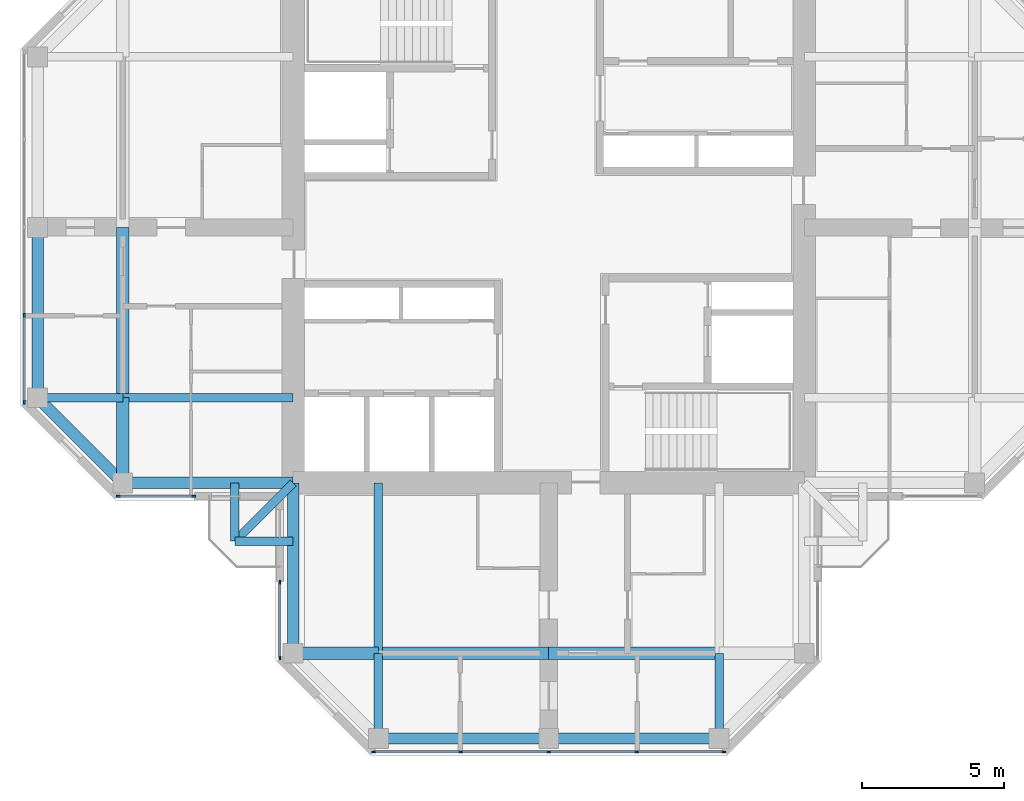
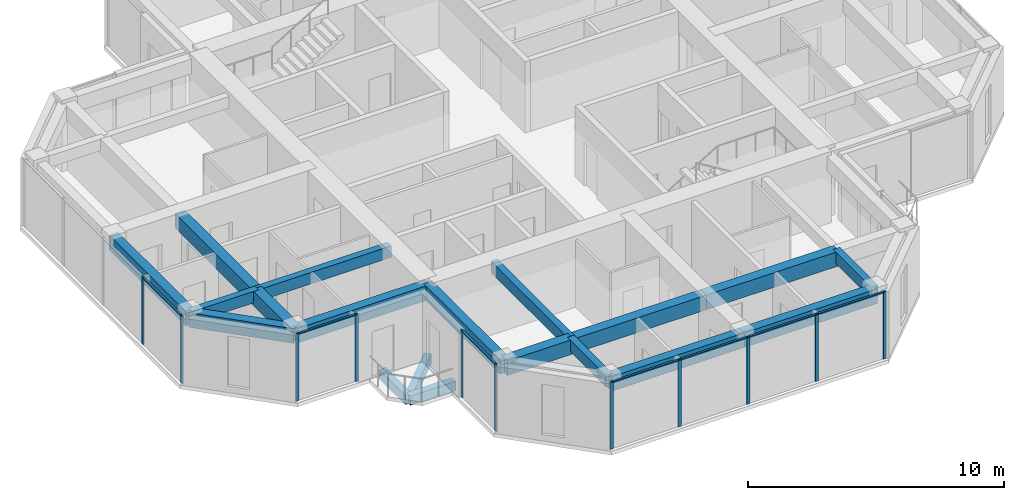
# One storey, part 2 of 13: 19 beams, 18 members, 4 elements without a shape of their own.
"""IFC4 building model written with IfcOpenShell, lengths in metres."""

import ifcopenshell
import ifcopenshell.guid

model = None  # the IFC model being written
_history = None  # IfcOwnerHistory: only IFC2X3 demands one
_inside = {}  # id of a spatial element -> (the spatial element, [elements in it])
_under = {}  # id of a project, library or spatial element -> (it, [spatial elements below it])
_declared = {}  # id of a project -> (the project, [libraries it declares])
_typed = {}  # id of a type object -> (the type object, [elements of that type])
_made_of = {}  # id of a material, layer set ... -> (it, [elements and type objects made of it])


def new_model(schema):
    """Start an empty IFC model of exactly this schema.

    Asked for "IFC4X3", IfcOpenShell would pick the latest addendum, in which some entities
    have other attributes; the version numbers below select the first issue.
    IFC2X3 requires an IfcOwnerHistory on every rooted entity: one is made here for all.
    """
    global model, _history
    if schema == "IFC4X3":
        model = ifcopenshell.file(schema_version=(4, 3, 0, 0))
    else:
        model = ifcopenshell.file(schema=schema)
    _inside.clear()
    _under.clear()
    _declared.clear()
    _typed.clear()
    _made_of.clear()
    _history = None
    if model.schema == "IFC2X3":
        org = make("IfcOrganization", Name="unknown")
        user = make(
            "IfcPersonAndOrganization",
            ThePerson=make("IfcPerson", FamilyName="unknown"),
            TheOrganization=org,
        )
        app = make(
            "IfcApplication",
            ApplicationDeveloper=org,
            Version="unknown",
            ApplicationFullName="unknown",
            ApplicationIdentifier="unknown",
        )
        _history = make(
            "IfcOwnerHistory",
            OwningUser=user,
            OwningApplication=app,
            ChangeAction="ADDED",
            CreationDate=0,
        )
    return model


def make(cls, **values):
    """One entity of the class cls with the attributes given. An attribute that is None is left unset."""
    return model.create_entity(
        cls, **{name: value for name, value in values.items() if value is not None}
    )


def rooted(cls, **values):
    """An entity with a GlobalId (a new one), such as an element, a storey or a relation."""
    return make(cls, GlobalId=ifcopenshell.guid.new(), OwnerHistory=_history, **values)


def si_unit(unit_type, name, prefix=None):
    """IfcSIUnit, for example si_unit("LENGTHUNIT", "METRE", prefix="MILLI")."""
    return make("IfcSIUnit", UnitType=unit_type, Prefix=prefix, Name=name)


def assignment(units):
    """IfcUnitAssignment: the units of a project."""
    return None if units is None else make("IfcUnitAssignment", Units=units)


def point(xyz):
    """IfcCartesianPoint."""
    return None if xyz is None else make("IfcCartesianPoint", Coordinates=xyz)


def direction(xyz):
    """IfcDirection."""
    return None if xyz is None else make("IfcDirection", DirectionRatios=xyz)


def frame(location, z_axis=None, x_axis=None):
    """IfcAxis2Placement3D, a coordinate frame: its origin and axes. An axis left out is left unset."""
    return make(
        "IfcAxis2Placement3D",
        Location=point(location),
        Axis=direction(z_axis),
        RefDirection=direction(x_axis),
    )


def frame_2d(location, x_axis=None):
    """IfcAxis2Placement2D, a coordinate frame in the plane: its origin and x axis."""
    return make(
        "IfcAxis2Placement2D", Location=point(location), RefDirection=direction(x_axis)
    )


def origin():
    """The frame at (0, 0, 0) with its axes left unset."""
    return frame((0.0, 0.0, 0.0))


def origin_2d():
    """The frame at (0, 0) in the plane with its x axis left unset."""
    return frame_2d((0.0, 0.0))


def place(relative_to, where):
    """IfcLocalPlacement: puts the frame where relative to a parent placement (None: the world)."""
    return make(
        "IfcLocalPlacement", PlacementRelTo=relative_to, RelativePlacement=where
    )


def context(
    kind, dimensions, precision=None, world=None, true_north=None, identifier=None
):
    """IfcGeometricRepresentationContext, for example the 3D "Model" context."""
    return make(
        "IfcGeometricRepresentationContext",
        ContextIdentifier=identifier,
        ContextType=kind,
        CoordinateSpaceDimension=dimensions,
        Precision=precision,
        WorldCoordinateSystem=world,
        TrueNorth=true_north,
    )


def subcontext(parent, identifier, kind, view, scale=None):
    """IfcGeometricRepresentationSubContext, for example "Body" below "Model"."""
    return make(
        "IfcGeometricRepresentationSubContext",
        ContextIdentifier=identifier,
        ContextType=kind,
        ParentContext=parent,
        TargetScale=scale,
        TargetView=view,
    )


def project(units=None, contexts=None):
    """IfcProject with its units and contexts."""
    return rooted(
        "IfcProject",
        Name="project",
        RepresentationContexts=contexts,
        UnitsInContext=assignment(units),
    )


def spatial(cls, under=None, at=None, **own):
    """A site, building, storey or space (cls), placed at a placement, below another one or the project."""
    s = rooted(cls, ObjectPlacement=at, **own)
    if under is not None:
        _under.setdefault(under.id(), (under, []))[1].append(s)
    return s


def profile(cls, at=None, kind="AREA", **sizes):
    """A parametric profile (cls). Its sizes go by their IFC names, for example OverallWidth=200.0."""
    return make(cls, ProfileType=kind, Position=at, **sizes)


def rectangle(**sizes):
    """IfcRectangleProfileDef."""
    return profile("IfcRectangleProfileDef", **sizes)


def extrude(swept, where, along, depth):
    """IfcExtrudedAreaSolid: the profile swept, set in the frame where, extruded along a direction by depth."""
    return make(
        "IfcExtrudedAreaSolid",
        SweptArea=swept,
        Position=where,
        ExtrudedDirection=direction(along),
        Depth=depth,
    )


def shape(context_of_items, identifier, shape_type, items):
    """IfcShapeRepresentation: the items that make up one representation, for example the "Body"."""
    return make(
        "IfcShapeRepresentation",
        ContextOfItems=context_of_items,
        RepresentationIdentifier=identifier,
        RepresentationType=shape_type,
        Items=items,
    )


def material(Name=None, Category=None):
    """IfcMaterial."""
    return make("IfcMaterial", Name=Name, Category=Category)


def material_profile(
    of_material, cross_section, Name=None, Category=None, Priority=None
):
    """IfcMaterialProfile: a cross section and its material."""
    return make(
        "IfcMaterialProfile",
        Name=Name,
        Material=of_material,
        Profile=cross_section,
        Priority=Priority,
        Category=Category,
    )


def profile_set(profiles, Name=None, composite=None):
    """IfcMaterialProfileSet."""
    return make(
        "IfcMaterialProfileSet",
        Name=Name,
        MaterialProfiles=profiles,
        CompositeProfile=composite,
    )


def made_of(thing, what):
    """Note that an element or type object is made of a material, layer set ...; save() writes the relation."""
    if what is not None:
        _made_of.setdefault(what.id(), (what, []))[1].append(thing)
    return thing


def type_object(cls, material=None, **own):
    """A type object (cls), such as IfcWallType, which elements share."""
    return made_of(rooted(cls, **own), material)


def element(
    cls,
    number,
    at=None,
    inside=None,
    cuts=None,
    type_object=None,
    material=None,
    context=None,
    identifier="Body",
    shape_type=None,
    held_by="IfcProductDefinitionShape",
    body=None,
    shapes=None,
    **own,
):
    """One element of the class cls, such as IfcWall. Its Tag is "e" and its number.

    at: its placement. inside: the storey or other place that contains it. cuts: it is an
    opening in that element (IfcRelVoidsElement). A single representation is given by context,
    identifier, shape_type and body (its items); several are given by shapes. held_by: the class
    of the entity that holds the representations. save() writes the other relations.
    """
    e = rooted(cls, Tag="e%d" % number, ObjectPlacement=at, **own)
    if body is not None:
        shapes = [shape(context, identifier, shape_type, body)]
    if shapes is not None:
        e.Representation = make(held_by, Representations=shapes)
    if inside is not None:
        _inside.setdefault(inside.id(), (inside, []))[1].append(e)
    if cuts is not None:
        rooted(
            "IfcRelVoidsElement", RelatingBuildingElement=cuts, RelatedOpeningElement=e
        )
    if type_object is not None:
        _typed.setdefault(type_object.id(), (type_object, []))[1].append(e)
    return made_of(e, material)


def aggregate(whole, parts):
    """IfcRelAggregates: a whole, such as a stair, and the parts it consists of."""
    return rooted("IfcRelAggregates", RelatingObject=whole, RelatedObjects=parts)


def save(model, path):
    """Write the relations noted so far, then the file.

    IfcRelAggregates (storeys below a building ...), IfcRelContainedInSpatialStructure (elements
    in a storey), IfcRelDefinesByType, IfcRelAssociatesMaterial and IfcRelDeclares: one each for
    every whole, place, type object, material and project.
    """
    for whole, parts in _under.values():
        aggregate(whole, parts)
    for where, things in _inside.values():
        rooted(
            "IfcRelContainedInSpatialStructure",
            RelatedElements=things,
            RelatingStructure=where,
        )
    for kind, things in _typed.values():
        rooted("IfcRelDefinesByType", RelatedObjects=things, RelatingType=kind)
    for what, things in _made_of.values():
        rooted("IfcRelAssociatesMaterial", RelatedObjects=things, RelatingMaterial=what)
    for by, libraries in _declared.values():
        rooted("IfcRelDeclares", RelatingContext=by, RelatedDefinitions=libraries)
    model.write(path)


model = new_model("IFC4")

# Units and contexts
model_context = context("Model", 3, precision=1e-05, world=origin(), true_north=direction((0.0, 1.0)))
body_context = subcontext(model_context, "Body", "Model", "MODEL_VIEW")
ifc_project = project(units=[si_unit("LENGTHUNIT", "METRE"), si_unit("AREAUNIT", "SQUARE_METRE"), si_unit("VOLUMEUNIT", "CUBIC_METRE"), si_unit("PLANEANGLEUNIT", "RADIAN"), si_unit("MASSUNIT", "GRAM", prefix="KILO")], contexts=[model_context])

# Site, building, storey
site_placement = place(None, origin())
site = spatial("IfcSite", under=ifc_project, at=site_placement, CompositionType="ELEMENT")
building_placement = place(site_placement, origin())
building = spatial("IfcBuilding", under=site, at=building_placement, Name="Torre Cruceta", CompositionType="ELEMENT")
storey_placement = place(building_placement, frame((0.0, 0.0, 281.5)))
storey = spatial("IfcBuildingStorey", under=building, at=storey_placement, Name="L73", CompositionType="ELEMENT", Elevation=281.5)

# Beams
ifc_material_1 = material(Name="Concrete G60 (fck 60 MPa)", Category="concrete")
ifc_material_profile_1 = material_profile(ifc_material_1, rectangle(XDim=0.300048828125, YDim=0.449951171875, at=origin_2d()), Name="RC 300X450")
ifc_profile_set_1 = profile_set([ifc_material_profile_1], Name="Concrete G60 (fck 60 MPa)")
beam_type_1 = type_object("IfcBeamType", Name="BALCONY CANTILEVER BEAM RC 300X450", PredefinedType="BEAM", material=ifc_profile_set_1)
beam_1_placement = place(storey_placement, frame((-9.0, -9.0, -0.405029296875), z_axis=(-0.707106781187, -0.707106781187, 0.0), x_axis=(0.707106781187, -0.707106781187, 0.0)))
element("IfcBeam", 1, at=beam_1_placement, inside=storey, type_object=beam_type_1, Name="BB1 balcony beam L73 W", PredefinedType="BEAM", context=body_context, shape_type="SweptSolid", body=[
    extrude(rectangle(XDim=0.300048828125, YDim=0.449951171875, at=origin_2d()), origin(), (0.0, 0.0, 1.0), 2.89990234375),
])
for number, where, z_axis, x_axis, name in (
    (2, (-11.050537109375, -9.0, -0.405029296875), (0.0, -1.0, 0.0), (1.0, 0.0, 0.0), "BB1 balcony edge beam L73 W-X"),
    (3, (-9.0, -11.050537109375, -0.405029296875), (-1.0, 0.0, 0.0), (0.0, -1.0, 0.0), "BB1 balcony edge beam L73 W-Y"),
):
    element("IfcBeam", number, at=place(storey_placement, frame(where, z_axis=z_axis, x_axis=x_axis)), inside=storey, type_object=beam_type_1, Name=name, PredefinedType="BEAM", context=body_context, shape_type="SweptSolid", body=[
        extrude(rectangle(XDim=0.300048828125, YDim=0.449951171875, at=origin_2d()), origin(), (0.0, 0.0, 1.0), 2.050537109375),
    ])
ifc_material_2 = material(Name="Concrete G60 (fck 60 MPa)", Category="concrete")
ifc_material_profile_2 = material_profile(ifc_material_2, rectangle(XDim=0.300048828125, YDim=0.550048828125, at=origin_2d()), Name="RC 300X550")
ifc_profile_set_2 = profile_set([ifc_material_profile_2], Name="Concrete G60 (fck 60 MPa)")
beam_type_2 = type_object("IfcBeamType", Name="COLUMN LINE BEAM RC 300X550", PredefinedType="BEAM", material=ifc_profile_set_2)
beam_2_placement = place(storey_placement, frame((-6.0, -9.0, 2.945068359375), z_axis=(0.0, -1.0, 0.0), x_axis=(1.0, 0.0, 0.0)))
element("IfcBeam", 4, at=beam_2_placement, inside=storey, type_object=beam_type_2, Name="LB10 L73 S col- 1", PredefinedType="BEAM", context=body_context, shape_type="SweptSolid", body=[
    extrude(rectangle(XDim=0.300048828125, YDim=0.550048828125, at=origin_2d()), origin(), (0.0, 0.0, 1.0), 6.0),
])
for number, where, z_axis, x_axis, name in (
    (5, (-6.0, -15.0, 2.945068359375), (0.0, -1.0, 0.0), (1.0, 0.0, 0.0), "LB10 L73 S col- 2"),
    (6, (6.0, -15.0, 2.945068359375), (0.0, -1.0, 0.0), (1.0, 0.0, 0.0), "LB10 L73 S col+ 2"),
):
    element("IfcBeam", number, at=place(storey_placement, frame(where, z_axis=z_axis, x_axis=x_axis)), inside=storey, type_object=beam_type_2, Name=name, PredefinedType="BEAM", context=body_context, shape_type="SweptSolid", body=[
        extrude(rectangle(XDim=0.300048828125, YDim=0.550048828125, at=origin_2d()), origin(), (0.0, 0.0, 1.0), 3.0),
    ])
beam_3_placement = place(storey_placement, frame((-9.0, -6.0, 2.945068359375), z_axis=(-1.0, 0.0, 0.0), x_axis=(0.0, -1.0, 0.0)))
element("IfcBeam", 7, at=beam_3_placement, inside=storey, type_object=beam_type_2, Name="LB10 L73 W col+ 1", PredefinedType="BEAM", context=body_context, shape_type="SweptSolid", body=[
    extrude(rectangle(XDim=0.300048828125, YDim=0.550048828125, at=origin_2d()), origin(), (0.0, 0.0, 1.0), 6.0),
])
beam_4_placement = place(storey_placement, frame((-15.0, -6.0, 2.945068359375), z_axis=(-1.0, 0.0, 0.0), x_axis=(0.0, -1.0, 0.0)))
element("IfcBeam", 8, at=beam_4_placement, inside=storey, type_object=beam_type_2, Name="LB10 L73 W col+ 2", PredefinedType="BEAM", context=body_context, shape_type="SweptSolid", body=[
    extrude(rectangle(XDim=0.300048828125, YDim=0.550048828125, at=origin_2d()), origin(), (0.0, 0.0, 1.0), 3.0),
])
ifc_material_3 = material(Name="Concrete G60 (fck 60 MPa)", Category="concrete")
ifc_material_profile_3 = material_profile(ifc_material_3, rectangle(XDim=0.449951171875, YDim=0.699951171875, at=origin_2d()), Name="RC 450X700")
ifc_profile_set_3 = profile_set([ifc_material_profile_3], Name="Concrete G60 (fck 60 MPa)")
beam_type_3 = type_object("IfcBeamType", Name="CROSS BEAM RC 450X700", PredefinedType="BEAM", material=ifc_profile_set_3)
beam_5_placement = place(storey_placement, frame((-9.0, -15.0, 2.8701171875), z_axis=(1.0, 0.0, 0.0), x_axis=(0.0, 1.0, 0.0)))
element("IfcBeam", 9, at=beam_5_placement, inside=storey, type_object=beam_type_3, Name="GB8 L73 S cross15 1", PredefinedType="BEAM", context=body_context, shape_type="SweptSolid", body=[
    extrude(rectangle(XDim=0.449951171875, YDim=0.699951171875, at=origin_2d()), origin(), (0.0, 0.0, 1.0), 3.0),
])
for number, where, z_axis, x_axis, name in (
    (10, (-6.0, -15.0, 2.8701171875), (1.0, 0.0, 0.0), (0.0, 1.0, 0.0), "GB8 L73 S cross15 2"),
    (11, (0.0, -15.0, 2.8701171875), (1.0, 0.0, 0.0), (0.0, 1.0, 0.0), "GB8 L73 S cross15 3"),
    (12, (-15.0, 0.0, 2.8701171875), (0.0, -1.0, 0.0), (1.0, 0.0, 0.0), "GB8 L73 W cross15 3"),
):
    element("IfcBeam", number, at=place(storey_placement, frame(where, z_axis=z_axis, x_axis=x_axis)), inside=storey, type_object=beam_type_3, Name=name, PredefinedType="BEAM", context=body_context, shape_type="SweptSolid", body=[
        extrude(rectangle(XDim=0.449951171875, YDim=0.699951171875, at=origin_2d()), origin(), (0.0, 0.0, 1.0), 6.0),
    ])
beam_6_placement = place(storey_placement, frame((-15.0, -6.0, 2.8701171875), z_axis=(0.0, -1.0, 0.0), x_axis=(1.0, 0.0, 0.0)))
element("IfcBeam", 13, at=beam_6_placement, inside=storey, type_object=beam_type_3, Name="GB8 L73 W cross15 4", PredefinedType="BEAM", context=body_context, shape_type="SweptSolid", body=[
    extrude(rectangle(XDim=0.449951171875, YDim=0.699951171875, at=origin_2d()), origin(), (0.0, 0.0, 1.0), 3.0),
])

# Curtain wall, members
ifc_material_4 = material(Name="Aluminium unitised curtain wall", Category="aluminium")
curtain_wall_type = type_object("IfcCurtainWallType", Name="CURTAIN WALL CW-E CO-LIVING TOP", PredefinedType="USERDEFINED", material=ifc_material_4)
curtain_wall_1_placement = place(storey_placement, origin())
curtain_wall_1 = element("IfcCurtainWall", 14, at=curtain_wall_1_placement, inside=storey, type_object=curtain_wall_type, Name="CW-E L73 W tip 12", ObjectType="UNITISED", PredefinedType="USERDEFINED")
ifc_material_5 = material(Name="Aluminium mullion", Category="aluminium")
ifc_material_profile_4 = material_profile(ifc_material_5, rectangle(XDim=0.054931640625, YDim=0.139892578125, at=origin_2d()), Name="AL 55X140")
ifc_profile_set_4 = profile_set([ifc_material_profile_4], Name="Aluminium mullion")
member_type_1 = type_object("IfcMemberType", Name="CW-E MULLION 55X140", PredefinedType="MULLION", material=ifc_profile_set_4)
member_1_placement = place(storey_placement, frame((-18.469970703125, -3.097412109375, 0.0), z_axis=(0.0, 0.0, 1.0), x_axis=(1.0, 0.0, 0.0)))
member_1 = element("IfcMember", 15, at=member_1_placement, type_object=member_type_1, Name="CW-E mullion 4", PredefinedType="MULLION", context=body_context, shape_type="SweptSolid", body=[
    extrude(rectangle(XDim=0.054931640625, YDim=0.139892578125, at=origin_2d()), origin(), (0.0, 0.0, 1.0), 3.219970703125),
])
member_2_placement = place(storey_placement, frame((-18.469970703125, -6.167236328125, 0.0), z_axis=(0.0, 0.0, 1.0), x_axis=(1.0, 0.0, 0.0)))
member_2 = element("IfcMember", 16, at=member_2_placement, type_object=member_type_1, Name="CW-E mullion 5", PredefinedType="MULLION", context=body_context, shape_type="SweptSolid", body=[
    extrude(rectangle(XDim=0.054931640625, YDim=0.139892578125, at=origin_2d()), origin(), (0.0, 0.0, 1.0), 3.219970703125),
])

curtain_wall_2_placement = place(storey_placement, origin())
curtain_wall_2 = element("IfcCurtainWall", 17, at=curtain_wall_2_placement, inside=storey, type_object=curtain_wall_type, Name="CW-E L73 W side 14", ObjectType="UNITISED", PredefinedType="USERDEFINED")
member_3_placement = place(storey_placement, frame((-15.167236328125, -9.469970703125, 0.0), z_axis=(0.0, 0.0, 1.0), x_axis=(0.0, 1.0, 0.0)))
member_3 = element("IfcMember", 18, at=member_3_placement, type_object=member_type_1, Name="CW-E mullion 1", PredefinedType="MULLION", context=body_context, shape_type="SweptSolid", body=[
    extrude(rectangle(XDim=0.054931640625, YDim=0.139892578125, at=origin_2d()), origin(), (0.0, 0.0, 1.0), 3.219970703125),
])
member_4_placement = place(storey_placement, frame((-12.49755859375, -9.469970703125, 0.0), z_axis=(0.0, 0.0, 1.0), x_axis=(0.0, 1.0, 0.0)))
member_4 = element("IfcMember", 19, at=member_4_placement, type_object=member_type_1, Name="CW-E mullion 2", PredefinedType="MULLION", context=body_context, shape_type="SweptSolid", body=[
    extrude(rectangle(XDim=0.054931640625, YDim=0.139892578125, at=origin_2d()), origin(), (0.0, 0.0, 1.0), 3.219970703125),
])

curtain_wall_3_placement = place(storey_placement, origin())
curtain_wall_3 = element("IfcCurtainWall", 20, at=curtain_wall_3_placement, inside=storey, type_object=curtain_wall_type, Name="CW-E L73 S side 15", ObjectType="UNITISED", PredefinedType="USERDEFINED")
member_5_placement = place(storey_placement, frame((-9.469970703125, -12.49755859375, 0.0), z_axis=(0.0, 0.0, 1.0), x_axis=(1.0, 0.0, 0.0)))
member_5 = element("IfcMember", 21, at=member_5_placement, type_object=member_type_1, Name="CW-E mullion 1", PredefinedType="MULLION", context=body_context, shape_type="SweptSolid", body=[
    extrude(rectangle(XDim=0.054931640625, YDim=0.139892578125, at=origin_2d()), origin(), (0.0, 0.0, 1.0), 3.219970703125),
])
member_6_placement = place(storey_placement, frame((-9.469970703125, -15.167236328125, 0.0), z_axis=(0.0, 0.0, 1.0), x_axis=(1.0, 0.0, 0.0)))
member_6 = element("IfcMember", 22, at=member_6_placement, type_object=member_type_1, Name="CW-E mullion 2", PredefinedType="MULLION", context=body_context, shape_type="SweptSolid", body=[
    extrude(rectangle(XDim=0.054931640625, YDim=0.139892578125, at=origin_2d()), origin(), (0.0, 0.0, 1.0), 3.219970703125),
])

curtain_wall_4_placement = place(storey_placement, origin())
curtain_wall_4 = element("IfcCurtainWall", 23, at=curtain_wall_4_placement, inside=storey, type_object=curtain_wall_type, Name="CW-E L73 S tip 17", ObjectType="UNITISED", PredefinedType="USERDEFINED")
member_7_placement = place(storey_placement, frame((-6.167236328125, -18.469970703125, 0.0), z_axis=(0.0, 0.0, 1.0), x_axis=(0.0, 1.0, 0.0)))
member_7 = element("IfcMember", 24, at=member_7_placement, type_object=member_type_1, Name="CW-E mullion 1", PredefinedType="MULLION", context=body_context, shape_type="SweptSolid", body=[
    extrude(rectangle(XDim=0.054931640625, YDim=0.139892578125, at=origin_2d()), origin(), (0.0, 0.0, 1.0), 3.219970703125),
])
member_8_placement = place(storey_placement, frame((-3.097412109375, -18.469970703125, 0.0), z_axis=(0.0, 0.0, 1.0), x_axis=(0.0, 1.0, 0.0)))
member_8 = element("IfcMember", 25, at=member_8_placement, type_object=member_type_1, Name="CW-E mullion 2", PredefinedType="MULLION", context=body_context, shape_type="SweptSolid", body=[
    extrude(rectangle(XDim=0.054931640625, YDim=0.139892578125, at=origin_2d()), origin(), (0.0, 0.0, 1.0), 3.219970703125),
])
member_9_placement = place(storey_placement, frame((0.0, -18.469970703125, 0.0), z_axis=(0.0, 0.0, 1.0), x_axis=(0.0, 1.0, 0.0)))
member_9 = element("IfcMember", 26, at=member_9_placement, type_object=member_type_1, Name="CW-E mullion 3", PredefinedType="MULLION", context=body_context, shape_type="SweptSolid", body=[
    extrude(rectangle(XDim=0.054931640625, YDim=0.139892578125, at=origin_2d()), origin(), (0.0, 0.0, 1.0), 3.219970703125),
])
member_10_placement = place(storey_placement, frame((3.097412109375, -18.469970703125, 0.0), z_axis=(0.0, 0.0, 1.0), x_axis=(0.0, 1.0, 0.0)))
member_10 = element("IfcMember", 27, at=member_10_placement, type_object=member_type_1, Name="CW-E mullion 4", PredefinedType="MULLION", context=body_context, shape_type="SweptSolid", body=[
    extrude(rectangle(XDim=0.054931640625, YDim=0.139892578125, at=origin_2d()), origin(), (0.0, 0.0, 1.0), 3.219970703125),
])
member_11_placement = place(storey_placement, frame((6.167236328125, -18.469970703125, 0.0), z_axis=(0.0, 0.0, 1.0), x_axis=(0.0, 1.0, 0.0)))
member_11 = element("IfcMember", 28, at=member_11_placement, type_object=member_type_1, Name="CW-E mullion 5", PredefinedType="MULLION", context=body_context, shape_type="SweptSolid", body=[
    extrude(rectangle(XDim=0.054931640625, YDim=0.139892578125, at=origin_2d()), origin(), (0.0, 0.0, 1.0), 3.219970703125),
])

# Member
ifc_material_6 = material(Name="Aluminium transom", Category="aluminium")
ifc_material_profile_5 = material_profile(ifc_material_6, rectangle(XDim=0.090087890625, YDim=0.054931640625, at=origin_2d()), Name="AL 90X55")
ifc_profile_set_5 = profile_set([ifc_material_profile_5], Name="Aluminium transom")
member_type_2 = type_object("IfcMemberType", Name="CW-E TRANSOM 55X90", PredefinedType="USERDEFINED", material=ifc_profile_set_5)
member_12_placement = place(storey_placement, frame((-18.469970703125, -3.124755859375, 3.1923828125), z_axis=(0.0, -1.0, 0.0), x_axis=(1.0, 0.0, 0.0)))
member_12 = element("IfcMember", 29, at=member_12_placement, type_object=member_type_2, Name="CW-E transom 4", ObjectType="TRANSOM", PredefinedType="USERDEFINED", context=body_context, shape_type="SweptSolid", body=[
    extrude(rectangle(XDim=0.090087890625, YDim=0.054931640625, at=origin_2d()), origin(), (0.0, 0.0, 1.0), 3.014892578125),
])

aggregate(curtain_wall_1, [member_1, member_2, member_12])

member_13_placement = place(storey_placement, frame((-15.1396484375, -9.469970703125, 3.1923828125), z_axis=(1.0, 0.0, 0.0), x_axis=(0.0, 1.0, 0.0)))
member_13 = element("IfcMember", 30, at=member_13_placement, type_object=member_type_2, Name="CW-E transom 1", ObjectType="TRANSOM", PredefinedType="USERDEFINED", context=body_context, shape_type="SweptSolid", body=[
    extrude(rectangle(XDim=0.090087890625, YDim=0.054931640625, at=origin_2d()), origin(), (0.0, 0.0, 1.0), 2.61474609375),
])

aggregate(curtain_wall_2, [member_3, member_4, member_13])

member_14_placement = place(storey_placement, frame((-9.469970703125, -12.52490234375, 3.1923828125), z_axis=(0.0, -1.0, 0.0), x_axis=(1.0, 0.0, 0.0)))
member_14 = element("IfcMember", 31, at=member_14_placement, type_object=member_type_2, Name="CW-E transom 1", ObjectType="TRANSOM", PredefinedType="USERDEFINED", context=body_context, shape_type="SweptSolid", body=[
    extrude(rectangle(XDim=0.090087890625, YDim=0.054931640625, at=origin_2d()), origin(), (0.0, 0.0, 1.0), 2.61474609375),
])

aggregate(curtain_wall_3, [member_5, member_6, member_14])

member_15_placement = place(storey_placement, frame((-6.1396484375, -18.469970703125, 3.1923828125), z_axis=(1.0, 0.0, 0.0), x_axis=(0.0, 1.0, 0.0)))
member_15 = element("IfcMember", 32, at=member_15_placement, type_object=member_type_2, Name="CW-E transom 1", ObjectType="TRANSOM", PredefinedType="USERDEFINED", context=body_context, shape_type="SweptSolid", body=[
    extrude(rectangle(XDim=0.090087890625, YDim=0.054931640625, at=origin_2d()), origin(), (0.0, 0.0, 1.0), 3.014892578125),
])

member_16_placement = place(storey_placement, frame((-3.06982421875, -18.469970703125, 3.1923828125), z_axis=(1.0, 0.0, 0.0), x_axis=(0.0, 1.0, 0.0)))
member_16 = element("IfcMember", 33, at=member_16_placement, type_object=member_type_2, Name="CW-E transom 2", ObjectType="TRANSOM", PredefinedType="USERDEFINED", context=body_context, shape_type="SweptSolid", body=[
    extrude(rectangle(XDim=0.090087890625, YDim=0.054931640625, at=origin_2d()), origin(), (0.0, 0.0, 1.0), 3.042236328125),
])

member_17_placement = place(storey_placement, frame((0.027587890625, -18.469970703125, 3.1923828125), z_axis=(1.0, 0.0, 0.0), x_axis=(0.0, 1.0, 0.0)))
member_17 = element("IfcMember", 34, at=member_17_placement, type_object=member_type_2, Name="CW-E transom 3", ObjectType="TRANSOM", PredefinedType="USERDEFINED", context=body_context, shape_type="SweptSolid", body=[
    extrude(rectangle(XDim=0.090087890625, YDim=0.054931640625, at=origin_2d()), origin(), (0.0, 0.0, 1.0), 3.042236328125),
])

member_18_placement = place(storey_placement, frame((3.124755859375, -18.469970703125, 3.1923828125), z_axis=(1.0, 0.0, 0.0), x_axis=(0.0, 1.0, 0.0)))
member_18 = element("IfcMember", 35, at=member_18_placement, type_object=member_type_2, Name="CW-E transom 4", ObjectType="TRANSOM", PredefinedType="USERDEFINED", context=body_context, shape_type="SweptSolid", body=[
    extrude(rectangle(XDim=0.090087890625, YDim=0.054931640625, at=origin_2d()), origin(), (0.0, 0.0, 1.0), 3.014892578125),
])

aggregate(curtain_wall_4, [member_7, member_8, member_9, member_10, member_11, member_15, member_16, member_17, member_18])

# Beams
ifc_material_7 = material(Name="Concrete G60 (fck 60 MPa)", Category="concrete")
ifc_material_profile_6 = material_profile(ifc_material_7, rectangle(XDim=0.39990234375, YDim=0.699951171875, at=origin_2d()), Name="RC 400X700")
ifc_profile_set_6 = profile_set([ifc_material_profile_6], Name="Concrete G60 (fck 60 MPa)")
beam_type_4 = type_object("IfcBeamType", Name="SPANDREL BEAM RC 400X700", PredefinedType="SPANDREL", material=ifc_profile_set_6)
for number, where, z_axis, x_axis, name in (
    (36, (-9.0, -9.0, 2.8701171875), (0.0, -1.0, 0.0), (1.0, 0.0, 0.0), "SB8 L73 S side- 1"),
    (37, (-6.0, -18.0, 2.8701171875), (1.0, 0.0, 0.0), (0.0, 1.0, 0.0), "SB8 L73 S tip 1"),
    (38, (0.0, -18.0, 2.8701171875), (1.0, 0.0, 0.0), (0.0, 1.0, 0.0), "SB8 L73 S tip 2"),
    (39, (-9.0, -9.0, 2.8701171875), (-1.0, 0.0, 0.0), (0.0, -1.0, 0.0), "SB8 L73 W side+ 1"),
):
    element("IfcBeam", number, at=place(storey_placement, frame(where, z_axis=z_axis, x_axis=x_axis)), inside=storey, type_object=beam_type_4, Name=name, PredefinedType="SPANDREL", context=body_context, shape_type="SweptSolid", body=[
        extrude(rectangle(XDim=0.39990234375, YDim=0.699951171875, at=origin_2d()), origin(), (0.0, 0.0, 1.0), 6.0),
    ])
beam_7_placement = place(storey_placement, frame((-15.0, -9.0, 2.8701171875), z_axis=(-0.707106781187, 0.707106781187, 0.0), x_axis=(-0.707106781187, -0.707106781187, 0.0)))
element("IfcBeam", 40, at=beam_7_placement, inside=storey, type_object=beam_type_4, Name="SB8 L73 W side+ 2", PredefinedType="SPANDREL", context=body_context, shape_type="SweptSolid", body=[
    extrude(rectangle(XDim=0.39990234375, YDim=0.699951171875, at=origin_2d()), origin(), (0.0, 0.0, 1.0), 4.24267578125),
])
beam_8_placement = place(storey_placement, frame((-18.0, 0.0, 2.8701171875), z_axis=(0.0, -1.0, 0.0), x_axis=(1.0, 0.0, 0.0)))
element("IfcBeam", 41, at=beam_8_placement, inside=storey, type_object=beam_type_4, Name="SB8 L73 W tip 2", PredefinedType="SPANDREL", context=body_context, shape_type="SweptSolid", body=[
    extrude(rectangle(XDim=0.39990234375, YDim=0.699951171875, at=origin_2d()), origin(), (0.0, 0.0, 1.0), 6.0),
])

save(model, "model.ifc")
